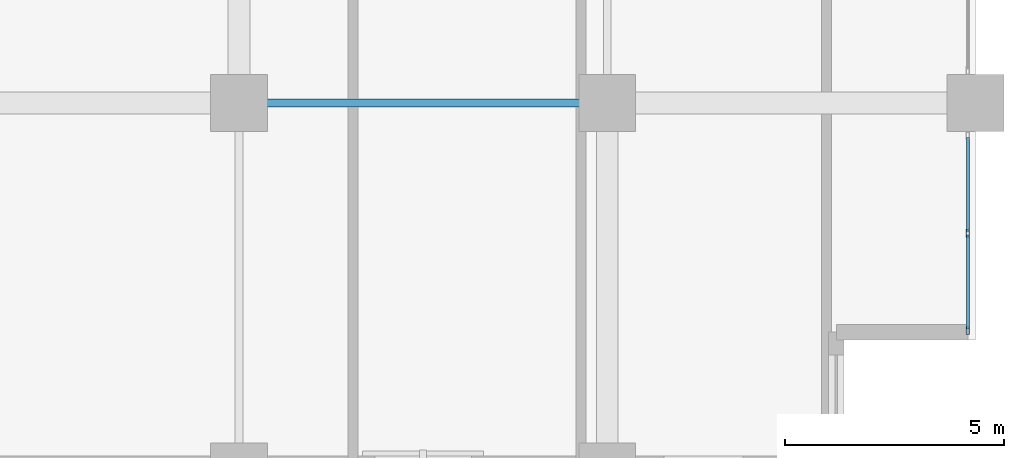
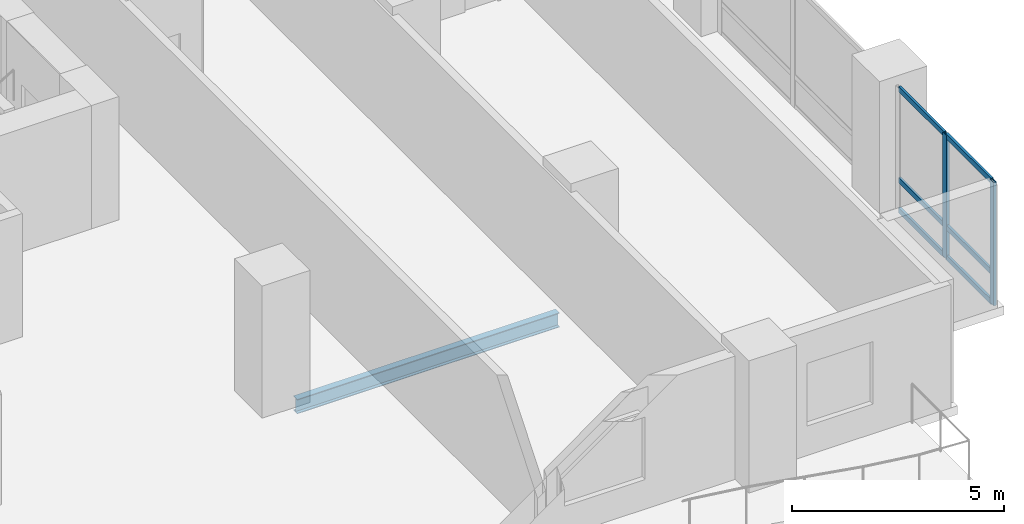
# One storey, part 3 of 24: 8 members, 1 beam, 1 element without a shape of its own.
"""IFC4 building model written with IfcOpenShell, lengths in metres."""

from ifc_helpers import new_model, si_unit, direction, frame, origin, origin_2d, place, context, subcontext, project, spatial, hollow_rectangle, i_section, extrude, material, layer, layer_set, material_profile, profile_set, type_object, element, aggregate, save


model = new_model("IFC4")

# Units and contexts
model_context = context("Model", 3, precision=1e-05, world=origin(), true_north=direction((0.0, 1.0)))
body_context = subcontext(model_context, "Body", "Model", "MODEL_VIEW")
ifc_project = project(units=[si_unit("LENGTHUNIT", "METRE"), si_unit("AREAUNIT", "SQUARE_METRE"), si_unit("VOLUMEUNIT", "CUBIC_METRE"), si_unit("PLANEANGLEUNIT", "RADIAN"), si_unit("MASSUNIT", "GRAM", prefix="KILO")], contexts=[model_context])

# Site, building, storey
site_placement = place(None, origin())
site = spatial("IfcSite", under=ifc_project, at=site_placement, CompositionType="ELEMENT")
building_placement = place(site_placement, origin())
building = spatial("IfcBuilding", under=site, at=building_placement, Name="Koriwani Terraces Tower", CompositionType="ELEMENT")
storey_placement = place(building_placement, frame((0.0, 0.0, 149.39990234375)))
storey = spatial("IfcBuildingStorey", under=building, at=storey_placement, Name="L36", CompositionType="ELEMENT", Elevation=149.39990234375)

# Curtain wall, members
ifc_material_1 = material(Name="Anodised Bronze Aluminium", Category="aluminium")
ifc_layer = layer(ifc_material_1, 0.179931640625, Name="Anodised Bronze Aluminium")
ifc_layer_set = layer_set([ifc_layer], Name="Anodised Bronze Aluminium")
curtain_wall_type = type_object("IfcCurtainWallType", Name="CW_HOTEL_ZONE2", PredefinedType="NOTDEFINED", material=ifc_layer_set)
curtain_wall_placement = place(storey_placement, origin())
curtain_wall = element("IfcCurtainWall", 1, at=curtain_wall_placement, inside=storey, type_object=curtain_wall_type, Name="L36 Unitised Curtain Wall (E_TIP) Bay 4", PredefinedType="NOTDEFINED")
ifc_material_profile_1 = material_profile(ifc_material_1, hollow_rectangle(XDim=0.074951171875, YDim=0.179931640625, WallThickness=0.006103515625, at=origin_2d()), Name="Anodised Bronze Aluminium", Category="LoadBearing")
ifc_profile_set_1 = profile_set([ifc_material_profile_1], Name="Anodised Bronze Aluminium")
member_type_1 = type_object("IfcMemberType", Name="CW_MULLION_180X75", PredefinedType="MULLION", material=ifc_profile_set_1)
member_1_placement = place(storey_placement, frame((75.425048828125, 5.4326171875, 0.0), z_axis=(0.0, 0.0, 1.0), x_axis=(1.0, 0.0, 0.0)))
member_1 = element("IfcMember", 2, at=member_1_placement, type_object=member_type_1, Name="CW-Z2 mullion 2", PredefinedType="MULLION", context=body_context, shape_type="SweptSolid", body=[
    extrude(hollow_rectangle(XDim=0.074951171875, YDim=0.179931640625, WallThickness=0.006103515625, at=origin_2d()), origin(), (0.0, 0.0, 1.0), 3.550048828125),
])
member_2_placement = place(storey_placement, frame((75.425048828125, 3.21240234375, 0.0), z_axis=(0.0, 0.0, 1.0), x_axis=(1.0, 0.0, 0.0)))
member_2 = element("IfcMember", 3, at=member_2_placement, type_object=member_type_1, Name="CW-Z2 mullion 3", PredefinedType="MULLION", context=body_context, shape_type="SweptSolid", body=[
    extrude(hollow_rectangle(XDim=0.074951171875, YDim=0.179931640625, WallThickness=0.006103515625, at=origin_2d()), origin(), (0.0, 0.0, 1.0), 3.550048828125),
])
ifc_material_profile_2 = material_profile(ifc_material_1, hollow_rectangle(XDim=0.06494140625, YDim=0.14990234375, WallThickness=0.0048828125, at=origin_2d()), Name="Anodised Bronze Aluminium", Category="LoadBearing")
ifc_profile_set_2 = profile_set([ifc_material_profile_2], Name="Anodised Bronze Aluminium")
member_type_2 = type_object("IfcMemberType", Name="CW_TRANSOM_150X65", PredefinedType="USERDEFINED", material=ifc_profile_set_2)
member_3_placement = place(storey_placement, frame((75.425048828125, 7.614990234375, 0.03271484375), z_axis=(0.0, -1.0, 0.0), x_axis=(1.0, 0.0, 0.0)))
member_3 = element("IfcMember", 4, at=member_3_placement, type_object=member_type_2, Name="CW-Z2 transom 1.1", ObjectType="TRANSOM", PredefinedType="USERDEFINED", context=body_context, shape_type="SweptSolid", body=[
    extrude(hollow_rectangle(XDim=0.06494140625, YDim=0.14990234375, WallThickness=0.0048828125, at=origin_2d()), origin(), (0.0, 0.0, 1.0), 2.14501953125),
])
member_4_placement = place(storey_placement, frame((75.425048828125, 7.614990234375, 0.900146484375), z_axis=(0.0, -1.0, 0.0), x_axis=(1.0, 0.0, 0.0)))
member_4 = element("IfcMember", 5, at=member_4_placement, type_object=member_type_2, Name="CW-Z2 transom 1.2", ObjectType="TRANSOM", PredefinedType="USERDEFINED", context=body_context, shape_type="SweptSolid", body=[
    extrude(hollow_rectangle(XDim=0.06494140625, YDim=0.14990234375, WallThickness=0.0048828125, at=origin_2d()), origin(), (0.0, 0.0, 1.0), 2.14501953125),
])
member_5_placement = place(storey_placement, frame((75.425048828125, 7.614990234375, 3.517578125), z_axis=(0.0, -1.0, 0.0), x_axis=(1.0, 0.0, 0.0)))
member_5 = element("IfcMember", 6, at=member_5_placement, type_object=member_type_2, Name="CW-Z2 transom 1.3", ObjectType="TRANSOM", PredefinedType="USERDEFINED", context=body_context, shape_type="SweptSolid", body=[
    extrude(hollow_rectangle(XDim=0.06494140625, YDim=0.14990234375, WallThickness=0.0048828125, at=origin_2d()), origin(), (0.0, 0.0, 1.0), 2.14501953125),
])
member_6_placement = place(storey_placement, frame((75.425048828125, 5.39501953125, 0.03271484375), z_axis=(0.0, -1.0, 0.0), x_axis=(1.0, 0.0, 0.0)))
member_6 = element("IfcMember", 7, at=member_6_placement, type_object=member_type_2, Name="CW-Z2 transom 2.1", ObjectType="TRANSOM", PredefinedType="USERDEFINED", context=body_context, shape_type="SweptSolid", body=[
    extrude(hollow_rectangle(XDim=0.06494140625, YDim=0.14990234375, WallThickness=0.0048828125, at=origin_2d()), origin(), (0.0, 0.0, 1.0), 2.14501953125),
])
member_7_placement = place(storey_placement, frame((75.425048828125, 5.39501953125, 0.900146484375), z_axis=(0.0, -1.0, 0.0), x_axis=(1.0, 0.0, 0.0)))
member_7 = element("IfcMember", 8, at=member_7_placement, type_object=member_type_2, Name="CW-Z2 transom 2.2", ObjectType="TRANSOM", PredefinedType="USERDEFINED", context=body_context, shape_type="SweptSolid", body=[
    extrude(hollow_rectangle(XDim=0.06494140625, YDim=0.14990234375, WallThickness=0.0048828125, at=origin_2d()), origin(), (0.0, 0.0, 1.0), 2.14501953125),
])
member_8_placement = place(storey_placement, frame((75.425048828125, 5.39501953125, 3.517578125), z_axis=(0.0, -1.0, 0.0), x_axis=(1.0, 0.0, 0.0)))
member_8 = element("IfcMember", 9, at=member_8_placement, type_object=member_type_2, Name="CW-Z2 transom 2.3", ObjectType="TRANSOM", PredefinedType="USERDEFINED", context=body_context, shape_type="SweptSolid", body=[
    extrude(hollow_rectangle(XDim=0.06494140625, YDim=0.14990234375, WallThickness=0.0048828125, at=origin_2d()), origin(), (0.0, 0.0, 1.0), 2.14501953125),
])
aggregate(curtain_wall, [member_1, member_2, member_3, member_4, member_5, member_6, member_7, member_8])

# Beam
ifc_material_2 = material(Name="Steel ASTM A572 Grade 50", Category="steel")
ifc_material_profile_3 = material_profile(ifc_material_2, i_section(OverallWidth=0.180908203125, OverallDepth=0.4169921875, WebThickness=0.010986328125, FlangeThickness=0.018310546875, at=origin_2d()), Name="Steel ASTM A572 Grade 50", Category="LoadBearing")
ifc_profile_set_3 = profile_set([ifc_material_profile_3], Name="Steel ASTM A572 Grade 50")
beam_type = type_object("IfcBeamType", Name="STEEL_BEAM_W410X85", PredefinedType="JOIST", material=ifc_profile_set_3)
beam_placement = place(storey_placement, frame((59.429931640625, 8.39990234375, -0.45849609375), z_axis=(1.0, 0.0, 0.0), x_axis=(0.0, 1.0, 0.0)))
element("IfcBeam", 10, at=beam_placement, inside=storey, type_object=beam_type, Name="L36 Grid Beam B (58.8-67.2m)", PredefinedType="JOIST", context=body_context, shape_type="SweptSolid", body=[
    extrude(i_section(OverallWidth=0.180908203125, OverallDepth=0.4169921875, WebThickness=0.010986328125, FlangeThickness=0.018310546875, at=origin_2d()), origin(), (0.0, 0.0, 1.0), 7.14013671875),
])

save(model, "model.ifc")
